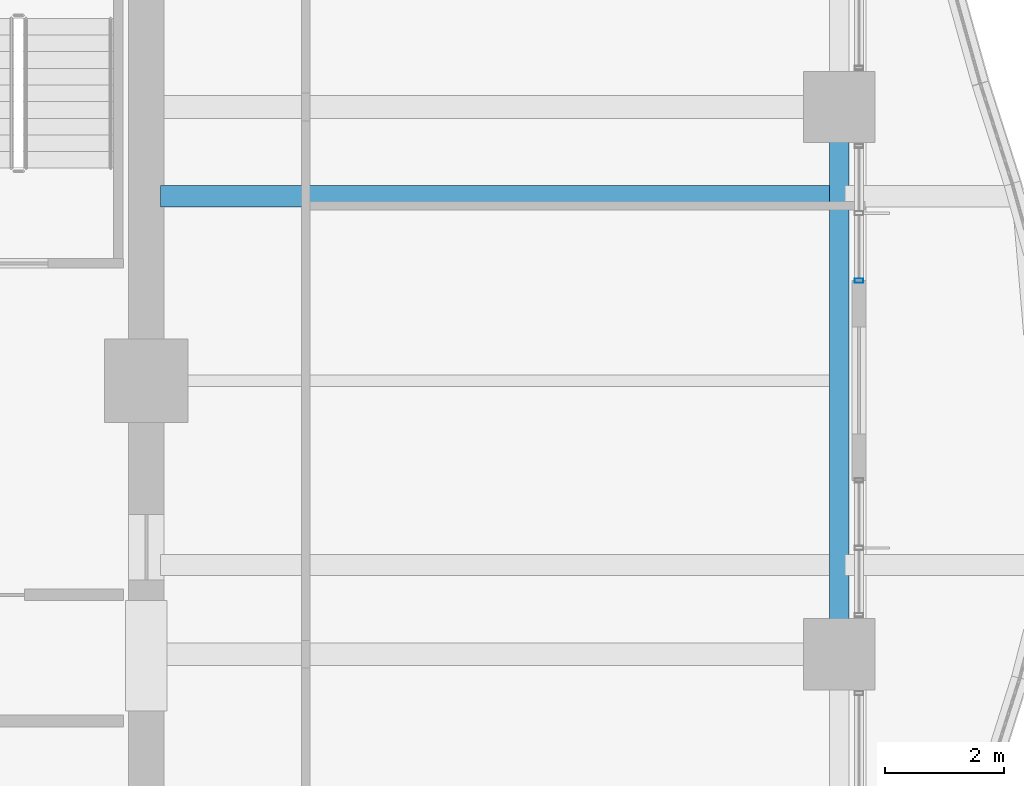
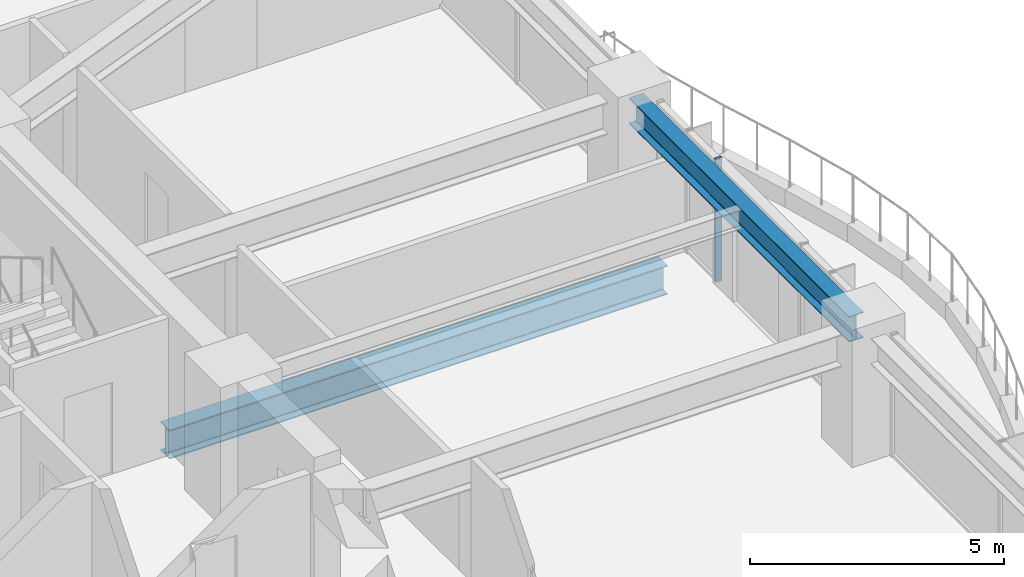
# One storey, part 15 of 38: 2 beams, 1 member, 1 element without a shape of its own.
"""IFC4 building model written with IfcOpenShell, lengths in metres."""

from ifc_helpers import new_model, si_unit, direction, frame, origin, origin_2d, place, context, subcontext, project, spatial, hollow_rectangle, i_section, extrude, material, material_profile, profile_set, type_object, element, aggregate, save


model = new_model("IFC4")

# Units and contexts
model_context = context("Model", 3, precision=1e-05, world=origin(), true_north=direction((0.0, 1.0)))
body_context = subcontext(model_context, "Body", "Model", "MODEL_VIEW")
ifc_project = project(units=[si_unit("LENGTHUNIT", "METRE"), si_unit("AREAUNIT", "SQUARE_METRE"), si_unit("VOLUMEUNIT", "CUBIC_METRE"), si_unit("PLANEANGLEUNIT", "RADIAN"), si_unit("MASSUNIT", "GRAM", prefix="KILO")], contexts=[model_context])

# Site, building, storey
site_placement = place(None, origin())
site = spatial("IfcSite", under=ifc_project, at=site_placement, CompositionType="ELEMENT")
building_placement = place(site_placement, origin())
building = spatial("IfcBuilding", under=site, at=building_placement, Name="Kolvaren Belvedere", CompositionType="ELEMENT")
storey_placement = place(building_placement, frame((0.0, 0.0, 60.10009765625)))
storey = spatial("IfcBuildingStorey", under=building, at=storey_placement, Name="L17", CompositionType="ELEMENT", Elevation=60.10009765625)

# Beams
ifc_material_1 = material(Name="Structural steel ASTM A992 Grade 50", Category="steel")
ifc_material_profile_1 = material_profile(ifc_material_1, i_section(OverallWidth=0.35498046875, OverallDepth=0.696044921875, WebThickness=0.015380859375, FlangeThickness=0.02490234375, FilletRadius=0.02197265625, at=origin_2d()), Name="W27X146")
ifc_profile_set_1 = profile_set([ifc_material_profile_1], Name="Structural steel ASTM A992 Grade 50")
beam_type_1 = type_object("IfcBeamType", Name="BM-GIRD-W27X146", PredefinedType="BEAM", material=ifc_profile_set_1)
beam_1_placement = place(storey_placement, frame((10.139892578125, 3.10009765625, -0.588134765625), z_axis=(1.0, 0.0, 0.0), x_axis=(0.0, 1.0, 0.0)))
element("IfcBeam", 1, at=beam_1_placement, inside=storey, type_object=beam_type_1, Name="L17 Balcony Interior Back-Span Girder BAL-E-2", PredefinedType="BEAM", context=body_context, shape_type="SweptSolid", body=[
    extrude(i_section(OverallWidth=0.35498046875, OverallDepth=0.696044921875, WebThickness=0.015380859375, FlangeThickness=0.02490234375, FilletRadius=0.02197265625, at=origin_2d()), origin(), (0.0, 0.0, 1.0), 11.315185546875),
])
ifc_material_2 = material(Name="Structural steel ASTM A992 Grade 50", Category="steel")
ifc_material_profile_2 = material_profile(ifc_material_2, i_section(OverallWidth=0.324951171875, OverallDepth=0.615966796875, WebThickness=0.013916015625, FlangeThickness=0.021484375, FilletRadius=0.02001953125, at=origin_2d()), Name="W24X117")
ifc_profile_set_2 = profile_set([ifc_material_profile_2], Name="Structural steel ASTM A992 Grade 50")
beam_type_2 = type_object("IfcBeamType", Name="BM-SPAN-W24X117", PredefinedType="SPANDREL", material=ifc_profile_set_2)
beam_2_placement = place(storey_placement, frame((21.550048828125, -4.330078125, 2.641845703125), z_axis=(0.0, 1.0, 0.0), x_axis=(-1.0, 0.0, 0.0)))
element("IfcBeam", 2, at=beam_2_placement, inside=storey, type_object=beam_type_2, Name="L17 Perimeter Spandrel E2-E3", PredefinedType="SPANDREL", context=body_context, shape_type="SweptSolid", body=[
    extrude(i_section(OverallWidth=0.324951171875, OverallDepth=0.615966796875, WebThickness=0.013916015625, FlangeThickness=0.021484375, FilletRadius=0.02001953125, at=origin_2d()), origin(), (0.0, 0.0, 1.0), 8.66015625),
])

# Curtain wall, member
ifc_material_3 = material(Name="Anodised pale-metal aluminium AA 6063-T6", Category="aluminium")
curtain_wall_type = type_object("IfcCurtainWallType", Name="CW-Z1-LOW", PredefinedType="NOTDEFINED", material=ifc_material_3)
curtain_wall_placement = place(storey_placement, origin())
curtain_wall = element("IfcCurtainWall", 3, at=curtain_wall_placement, inside=storey, type_object=curtain_wall_type, Name="L17 Unitised Curtain Wall FCW-L17-E1-B2", PredefinedType="NOTDEFINED")
ifc_material_4 = material(Name="Anodised pale-metal aluminium AA 6063-T6", Category="aluminium")
ifc_material_profile_3 = material_profile(ifc_material_4, hollow_rectangle(XDim=0.070068359375, YDim=0.14990234375, WallThickness=0.004150390625, at=origin_2d()), Name="ALU-MUL-150X70")
ifc_profile_set_3 = profile_set([ifc_material_profile_3], Name="Anodised pale-metal aluminium AA 6063-T6")
member_type = type_object("IfcMemberType", Name="CW-MUL-150", PredefinedType="MULLION", material=ifc_profile_set_3)
member_placement = place(storey_placement, frame((21.8798828125, 1.679931640625, 0.0), z_axis=(0.0, 0.0, 1.0), x_axis=(0.0, 1.0, 0.0)))
member = element("IfcMember", 4, at=member_placement, type_object=member_type, Name="FCW-L17-E1-B2 Unitised Mullion 3", PredefinedType="MULLION", context=body_context, shape_type="SweptSolid", body=[
    extrude(hollow_rectangle(XDim=0.070068359375, YDim=0.14990234375, WallThickness=0.004150390625, at=origin_2d()), origin(), (0.0, 0.0, 1.0), 2.949951171875),
])
aggregate(curtain_wall, [member])

save(model, "model.ifc")
